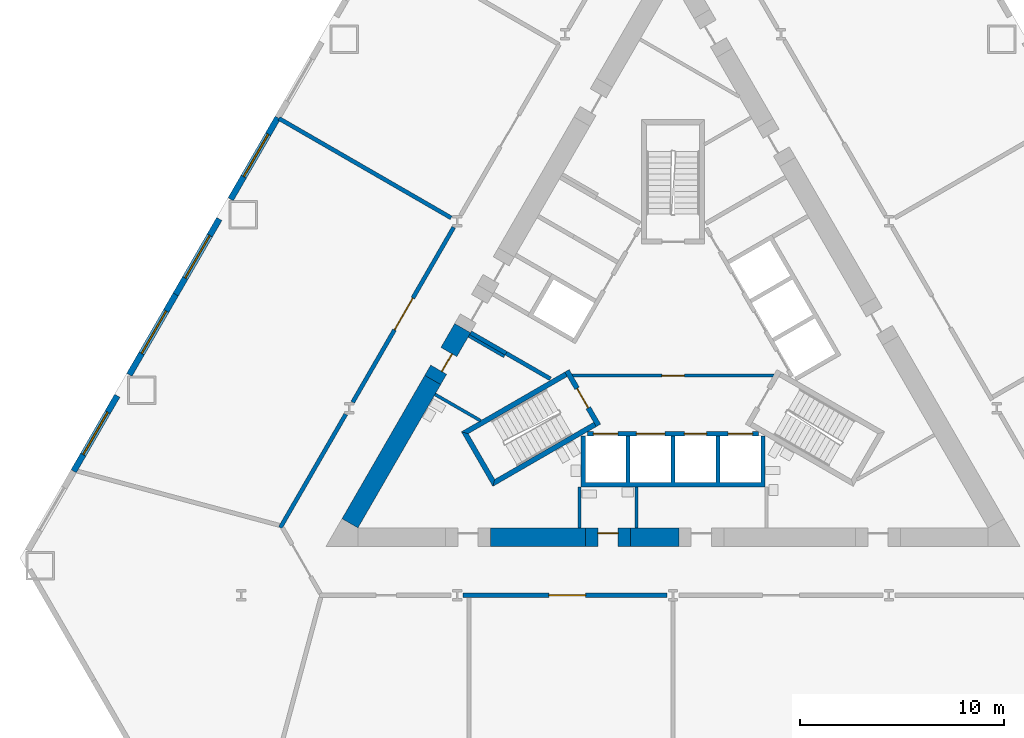
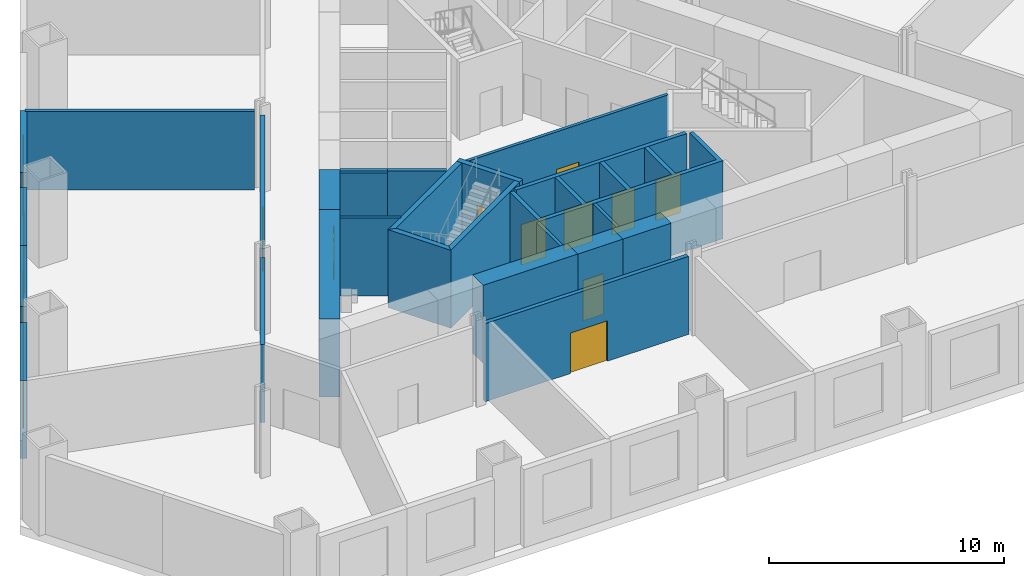
# One storey, part 2 of 8: 26 walls, 10 doors, 4 windows, 14 openings.
"""IFC4 building model written with IfcOpenShell, lengths in metres."""

from ifc_helpers import new_model, si_unit, direction, frame, frame_2d, origin, place, context, subcontext, project, spatial, polyline, rectangle, outline, extrude, material, layer, layer_set, type_object, element, fill, save


model = new_model("IFC4")

# Units and contexts
model_context = context("Model", 3, precision=1e-05, world=origin(), true_north=direction((0.0, 1.0)))
body_context = subcontext(model_context, "Body", "Model", "MODEL_VIEW")
ifc_project = project(units=[si_unit("LENGTHUNIT", "METRE"), si_unit("AREAUNIT", "SQUARE_METRE"), si_unit("VOLUMEUNIT", "CUBIC_METRE"), si_unit("PLANEANGLEUNIT", "RADIAN"), si_unit("MASSUNIT", "GRAM", prefix="KILO")], contexts=[model_context])

# Site, building, storey
site_placement = place(None, origin())
site = spatial("IfcSite", under=ifc_project, at=site_placement, CompositionType="ELEMENT")
building_placement = place(site_placement, origin())
building = spatial("IfcBuilding", under=site, at=building_placement, Name="Cormorant Prow Tower", CompositionType="ELEMENT")
storey_placement = place(building_placement, frame((0.0, 0.0, 21.0)))
storey = spatial("IfcBuildingStorey", under=building, at=storey_placement, Name="L03", CompositionType="ELEMENT", Elevation=21.0)

# Wall, opening, door
ifc_material_1 = material(Name="Gypsum board partition")
ifc_layer_1 = layer(ifc_material_1, 0.14990234375)
ifc_layer_set_1 = layer_set([ifc_layer_1], Name="Gypsum board partition")
wall_type_1 = type_object("IfcWallType", Name="Core partition 150", PredefinedType="PARTITIONING", material=ifc_layer_set_1)
wall_1_placement = place(storey_placement, frame((-4.941162109375, -1.449951171875, 0.0), z_axis=(0.0, 0.0, 1.0), x_axis=(1.0, 0.0, 0.0)))
wall_1 = element("IfcWall", 1, at=wall_1_placement, inside=storey, type_object=wall_type_1, Name="Firefighting lobby partition", PredefinedType="PARTITIONING", context=body_context, shape_type="SweptSolid", body=[
    extrude(rectangle(XDim=9.88232421875, YDim=0.14990234375, at=frame_2d((4.941162109375, 0.0))), origin(), (0.0, 0.0, 1.0), 4.050048828125),
])
opening_1_placement = place(wall_1_placement, frame((4.39111328125, 0.0, 0.0)))
opening_1 = element("IfcOpeningElement", 2, at=opening_1_placement, cuts=wall_1, Name="Opening L03-C11", PredefinedType="OPENING", context=body_context, shape_type="SweptSolid", body=[
    extrude(rectangle(XDim=1.10009765625, YDim=2.10009765625, at=frame_2d((0.550048828125, 1.050048828125))), frame((0.0, 0.0849609375, 0.0), z_axis=(0.0, -1.0, 0.0), x_axis=(1.0, 0.0, 0.0)), (0.0, 0.0, 1.0), 0.169921875),
])
ifc_material_2 = material(Name="Painted steel", Category="steel")
door_type_1 = type_object("IfcDoorType", Name="Firefighting lobby door 1100x2100", OperationType="NOTDEFINED", PredefinedType="DOOR", material=ifc_material_2)
door_1_placement = place(opening_1_placement, origin())
door_1 = element("IfcDoor", 3, at=door_1_placement, inside=storey, type_object=door_type_1, Name="Firefighting lobby door", OperationType="SINGLE_SWING_LEFT", OverallHeight=2.10009765625, OverallWidth=1.10009765625, PredefinedType="DOOR", context=body_context, shape_type="SweptSolid", body=[
    extrude(rectangle(XDim=1.10009765625, YDim=2.10009765625, at=frame_2d((0.550048828125, 1.050048828125))), frame((0.0, 0.02490234375, 0.0), z_axis=(0.0, -1.0, 0.0), x_axis=(1.0, 0.0, 0.0)), (0.0, 0.0, 1.0), 0.050048828125),
])
fill(opening_1, door_1)

# Walls
wall_2_placement = place(storey_placement, frame((-8.268310546875, -0.509033203125, 0.0), z_axis=(0.0, 0.0, 1.0), x_axis=(-0.866035824272, 0.499981950752, 0.0)))
element("IfcWall", 4, at=wall_2_placement, inside=storey, type_object=wall_type_1, Name="Service room partition", PredefinedType="PARTITIONING", context=body_context, shape_type="SweptSolid", body=[
    extrude(rectangle(XDim=2.0087890625, YDim=0.14990234375, at=frame_2d((1.00439453125, 0.0))), origin(), (0.0, 0.0, 1.0), 4.050048828125),
])
wall_3_placement = place(storey_placement, frame((-4.574951171875, -6.906005859375, 0.0), z_axis=(0.0, 0.0, 1.0), x_axis=(0.0, -1.0, 0.0)))
element("IfcWall", 5, at=wall_3_placement, inside=storey, type_object=wall_type_1, Name="Service room partition", PredefinedType="PARTITIONING", context=body_context, shape_type="SweptSolid", body=[
    extrude(rectangle(XDim=2.009033203125, YDim=0.14990234375, at=frame_2d((1.00439453125, 0.0))), origin(), (0.0, 0.0, 1.0), 4.050048828125),
])
wall_4_placement = place(storey_placement, frame((-11.664306640625, -2.373291015625, 0.0), z_axis=(0.0, 0.0, 1.0), x_axis=(0.866075643493, -0.499912972175, 0.0)))
element("IfcWall", 6, at=wall_4_placement, inside=storey, type_object=wall_type_1, Name="Service room partition", PredefinedType="PARTITIONING", context=body_context, shape_type="SweptSolid", body=[
    extrude(rectangle(XDim=2.58837890625, YDim=0.14990234375, at=frame_2d((1.294189453125, 0.0))), origin(), (0.0, 0.0, 1.0), 4.050048828125),
])
wall_5_placement = place(storey_placement, frame((-1.800048828125, -8.9150390625, 0.0), z_axis=(0.0, 0.0, 1.0), x_axis=(0.0, 1.0, 0.0)))
element("IfcWall", 7, at=wall_5_placement, inside=storey, type_object=wall_type_1, Name="Service room partition", PredefinedType="PARTITIONING", context=body_context, shape_type="SweptSolid", body=[
    extrude(rectangle(XDim=2.009033203125, YDim=0.14990234375, at=frame_2d((1.00439453125, 0.0))), origin(), (0.0, 0.0, 1.0), 4.050048828125),
])
ifc_material_3 = material(Name="Concrete 8000 psi", Category="concrete")
ifc_layer_2 = layer(ifc_material_3, 0.89990234375)
ifc_layer_set_2 = layer_set([ifc_layer_2], Name="Concrete 8000 psi")
wall_type_2 = type_object("IfcWallType", Name="Core shear wall 900", PredefinedType="SHEAR", material=ifc_layer_set_2)
wall_6_placement = place(storey_placement, frame((-8.945556640625, -9.364990234375, 0.0), z_axis=(0.0, 0.0, 1.0), x_axis=(1.0, 0.0, 0.0)))
element("IfcWall", 8, at=wall_6_placement, inside=storey, type_object=wall_type_2, Name="Core wall", PredefinedType="SHEAR", context=body_context, shape_type="SweptSolid", body=[
    extrude(rectangle(XDim=4.657958984375, YDim=0.89990234375, at=frame_2d((2.3291015625, 0.0))), origin(), (0.0, 0.0, 1.0), 4.050048828125),
])
wall_7_placement = place(storey_placement, frame((-2.08740234375, -9.364990234375, 0.0), z_axis=(0.0, 0.0, 1.0), x_axis=(1.0, 0.0, 0.0)))
element("IfcWall", 9, at=wall_7_placement, inside=storey, type_object=wall_type_2, Name="Core wall", PredefinedType="SHEAR", context=body_context, shape_type="SweptSolid", body=[
    extrude(rectangle(XDim=2.375, YDim=0.89990234375, at=frame_2d((1.1875, 0.0))), origin(), (0.0, 0.0, 1.0), 4.050048828125),
])
wall_8_placement = place(storey_placement, frame((-11.77587890625, -1.66650390625, 0.0), z_axis=(0.0, 0.0, 1.0), x_axis=(-0.499995201193, -0.866028174359, 0.0)))
element("IfcWall", 10, at=wall_8_placement, inside=storey, type_object=wall_type_2, Name="Core wall", PredefinedType="SHEAR", context=body_context, shape_type="SweptSolid", body=[
    extrude(rectangle(XDim=8.10986328125, YDim=0.89990234375, at=frame_2d((4.054931640625, 0.0))), origin(), (0.0, 0.0, 1.0), 4.050048828125),
])

# Wall, opening, door
wall_9_placement = place(storey_placement, frame((-4.28759765625, -9.364990234375, 0.0), z_axis=(0.0, 0.0, 1.0), x_axis=(1.0, 0.0, 0.0)))
wall_9 = element("IfcWall", 11, at=wall_9_placement, inside=storey, type_object=wall_type_2, Name="Core wall door panel", PredefinedType="SHEAR", context=body_context, shape_type="SweptSolid", body=[
    extrude(rectangle(XDim=2.2001953125, YDim=0.89990234375, at=frame_2d((1.10009765625, 0.0))), origin(), (0.0, 0.0, 1.0), 4.050048828125),
])
opening_2_placement = place(wall_9_placement, frame((0.60009765625, 0.0, 0.0)))
opening_2 = element("IfcOpeningElement", 12, at=opening_2_placement, cuts=wall_9, Name="Opening L03-C15", PredefinedType="OPENING", context=body_context, shape_type="SweptSolid", body=[
    extrude(rectangle(XDim=1.0, YDim=2.10009765625, at=frame_2d((0.5, 1.050048828125))), frame((0.0, 0.4599609375, 0.0), z_axis=(0.0, -1.0, 0.0), x_axis=(1.0, 0.0, 0.0)), (0.0, 0.0, 1.0), 0.919921875),
])
ifc_material_4 = material(Name="Painted steel", Category="steel")
door_type_2 = type_object("IfcDoorType", Name="Service door 1000x2100", OperationType="NOTDEFINED", PredefinedType="DOOR", material=ifc_material_4)
door_2_placement = place(opening_2_placement, origin())
door_2 = element("IfcDoor", 13, at=door_2_placement, inside=storey, type_object=door_type_2, Name="Core door, Accessible WC L03", OperationType="SINGLE_SWING_RIGHT", OverallHeight=2.10009765625, OverallWidth=1.0, PredefinedType="DOOR", context=body_context, shape_type="SweptSolid", body=[
    extrude(rectangle(XDim=1.0, YDim=2.10009765625, at=frame_2d((0.5, 1.050048828125))), frame((0.0, 0.205078125, 0.0), z_axis=(0.0, -1.0, 0.0), x_axis=(1.0, 0.0, 0.0)), (0.0, 0.0, 1.0), 0.050048828125),
])
fill(opening_2, door_2)

wall_10_placement = place(storey_placement, frame((-10.310302734375, 0.8720703125, 0.0), z_axis=(0.0, 0.0, 1.0), x_axis=(-0.499982003349, -0.866035793907, 0.0)))
wall_10 = element("IfcWall", 14, at=wall_10_placement, inside=storey, type_object=wall_type_2, Name="Core wall door panel", PredefinedType="SHEAR", context=body_context, shape_type="SweptSolid", body=[
    extrude(rectangle(XDim=2.93115234375, YDim=0.89990234375, at=frame_2d((1.465576171875, 0.0))), origin(), (0.0, 0.0, 1.0), 4.050048828125),
])
opening_3_placement = place(wall_10_placement, frame((1.35009765625, 0.0, 0.0)))
opening_3 = element("IfcOpeningElement", 15, at=opening_3_placement, cuts=wall_10, Name="Opening L03-C19", PredefinedType="OPENING", context=body_context, shape_type="SweptSolid", body=[
    extrude(rectangle(XDim=1.0, YDim=2.10009765625, at=frame_2d((0.5, 1.050048828125))), frame((0.0, 0.4599609375, 0.0), z_axis=(0.0, -1.0, 0.0), x_axis=(1.0, 0.0, 0.0)), (0.0, 0.0, 1.0), 0.919921875),
])
door_3_placement = place(opening_3_placement, origin())
door_3 = element("IfcDoor", 16, at=door_3_placement, inside=storey, type_object=door_type_2, Name="Core door, Telecom room", OperationType="SINGLE_SWING_LEFT", OverallHeight=2.10009765625, OverallWidth=1.0, PredefinedType="DOOR", context=body_context, shape_type="SweptSolid", body=[
    extrude(rectangle(XDim=1.0, YDim=2.10009765625, at=frame_2d((0.5, 1.050048828125))), frame((0.0, 0.205078125, 0.0), z_axis=(0.0, -1.0, 0.0), x_axis=(1.0, 0.0, 0.0)), (0.0, 0.0, 1.0), 0.050048828125),
])
fill(opening_3, door_3)

ifc_material_5 = material(Name="Gypsum board corridor wall")
ifc_layer_3 = layer(ifc_material_5, 0.199951171875)
ifc_layer_set_3 = layer_set([ifc_layer_3], Name="Gypsum board corridor wall")
wall_type_3 = type_object("IfcWallType", Name="Corridor wall 200", PredefinedType="PARTITIONING", material=ifc_layer_set_3)
wall_11_placement = place(storey_placement, frame((-10.28369140625, -12.215087890625, 0.0), z_axis=(0.0, 0.0, 1.0), x_axis=(1.0, 0.0, 0.0)))
wall_11 = element("IfcWall", 17, at=wall_11_placement, inside=storey, type_object=wall_type_3, Name="Corridor wall", PredefinedType="PARTITIONING", context=body_context, shape_type="SweptSolid", body=[
    extrude(rectangle(XDim=9.98876953125, YDim=0.199951171875, at=frame_2d((4.994384765625, 0.0))), origin(), (0.0, 0.0, 1.0), 4.050048828125),
])
opening_4_placement = place(wall_11_placement, frame((4.195556640625, 0.0, 0.0)))
opening_4 = element("IfcOpeningElement", 18, at=opening_4_placement, cuts=wall_11, Name="Opening L03-F03", PredefinedType="OPENING", context=body_context, shape_type="SweptSolid", body=[
    extrude(rectangle(XDim=1.800048828125, YDim=2.10009765625, at=frame_2d((0.89990234375, 1.050048828125))), frame((0.0, 0.10986328125, 0.0), z_axis=(0.0, -1.0, 0.0), x_axis=(1.0, 0.0, 0.0)), (0.0, 0.0, 1.0), 0.219970703125),
])
ifc_material_6 = material(Name="Timber door leaf", Category="wood")
door_type_3 = type_object("IfcDoorType", Name="Double door 1800x2100", OperationType="DOUBLE_DOOR_SINGLE_SWING", PredefinedType="DOOR", material=ifc_material_6)
door_4_placement = place(opening_4_placement, origin())
door_4 = element("IfcDoor", 19, at=door_4_placement, inside=storey, type_object=door_type_3, Name="Yoga studio door", OperationType="DOUBLE_DOOR_SINGLE_SWING", OverallHeight=2.10009765625, OverallWidth=1.800048828125, PredefinedType="DOOR", context=body_context, shape_type="SweptSolid", body=[
    extrude(rectangle(XDim=1.800048828125, YDim=2.10009765625, at=frame_2d((0.89990234375, 1.050048828125))), frame((0.0, 0.02490234375, 0.0), z_axis=(0.0, -1.0, 0.0), x_axis=(1.0, 0.0, 0.0)), (0.0, 0.0, 1.0), 0.050048828125),
])
fill(opening_4, door_4)

wall_12_placement = place(storey_placement, frame((-15.697509765625, -2.759033203125, 0.0), z_axis=(0.0, 0.0, 1.0), x_axis=(0.500004292778, 0.866022925334, 0.0)))
wall_12 = element("IfcWall", 20, at=wall_12_placement, inside=storey, type_object=wall_type_3, Name="Corridor wall", PredefinedType="PARTITIONING", context=body_context, shape_type="SweptSolid", body=[
    extrude(rectangle(XDim=9.89794921875, YDim=0.199951171875, at=frame_2d((4.948974609375, 0.0))), origin(), (0.0, 0.0, 1.0), 4.050048828125),
])
opening_5_placement = place(wall_12_placement, frame((4.099609375, 0.0, 0.0)))
opening_5 = element("IfcOpeningElement", 21, at=opening_5_placement, cuts=wall_12, Name="Opening L03-F12", PredefinedType="OPENING", context=body_context, shape_type="SweptSolid", body=[
    extrude(rectangle(XDim=1.800048828125, YDim=2.10009765625, at=frame_2d((0.89990234375, 1.050048828125))), frame((0.0, 0.10986328125, 0.0), z_axis=(0.0, -1.0, 0.0), x_axis=(1.0, 0.0, 0.0)), (0.0, 0.0, 1.0), 0.219970703125),
])
door_5_placement = place(opening_5_placement, origin())
door_5 = element("IfcDoor", 22, at=door_5_placement, inside=storey, type_object=door_type_3, Name="Fitness studio door", OperationType="DOUBLE_DOOR_SINGLE_SWING", OverallHeight=2.10009765625, OverallWidth=1.800048828125, PredefinedType="DOOR", context=body_context, shape_type="SweptSolid", body=[
    extrude(rectangle(XDim=1.800048828125, YDim=2.10009765625, at=frame_2d((0.89990234375, 1.050048828125))), frame((0.0, 0.02490234375, 0.0), z_axis=(0.0, -1.0, 0.0), x_axis=(1.0, 0.0, 0.0)), (0.0, 0.0, 1.0), 0.050048828125),
])
fill(opening_5, door_5)

# Walls
wall_13_placement = place(storey_placement, frame((-19.243896484375, -8.901611328125, 0.0), z_axis=(0.0, 0.0, 1.0), x_axis=(0.499988314375, 0.866032150378, 0.0)))
element("IfcWall", 23, at=wall_13_placement, inside=storey, type_object=wall_type_3, Name="Corridor wall", PredefinedType="PARTITIONING", context=body_context, shape_type="SweptSolid", body=[
    extrude(rectangle(XDim=6.412353515625, YDim=0.199951171875, at=frame_2d((3.2060546875, 0.0))), origin(), (0.0, 0.0, 1.0), 4.050048828125),
])
ifc_material_7 = material(Name="Gypsum board demising wall")
ifc_layer_4 = layer(ifc_material_7, 0.199951171875)
ifc_layer_set_4 = layer_set([ifc_layer_4], Name="Gypsum board demising wall")
wall_type_4 = type_object("IfcWallType", Name="Demising wall 200", PredefinedType="PARTITIONING", material=ifc_layer_set_4)
wall_14_placement = place(storey_placement, frame((-19.3095703125, 11.148193359375, 0.0), z_axis=(0.0, 0.0, 1.0), x_axis=(0.866029077831, -0.499993636311, 0.0)))
element("IfcWall", 24, at=wall_14_placement, inside=storey, type_object=wall_type_4, Name="Demising wall", PredefinedType="PARTITIONING", context=body_context, shape_type="SweptSolid", body=[
    extrude(rectangle(XDim=9.741455078125, YDim=0.199951171875, at=frame_2d((4.87060546875, 0.0))), origin(), (0.0, 0.0, 1.0), 4.050048828125),
])

# Wall, openings, doors
ifc_material_8 = material(Name="Concrete 5000 psi", Category="concrete")
ifc_layer_5 = layer(ifc_material_8, 0.199951171875)
ifc_layer_set_5 = layer_set([ifc_layer_5], Name="Concrete 5000 psi")
wall_type_5 = type_object("IfcWallType", Name="Lift lobby wall 200", PredefinedType="SOLIDWALL", material=ifc_layer_set_5)
wall_15_placement = place(storey_placement, frame((-4.1865234375, -4.300048828125, 0.0), z_axis=(0.0, 0.0, 1.0), x_axis=(1.0, 0.0, 0.0)))
wall_15 = element("IfcWall", 25, at=wall_15_placement, inside=storey, type_object=wall_type_5, Name="Lift lobby wall, S block", PredefinedType="SOLIDWALL", context=body_context, shape_type="SweptSolid", body=[
    extrude(rectangle(XDim=8.373046875, YDim=0.199951171875, at=frame_2d((4.1865234375, 0.0))), origin(), (0.0, 0.0, 1.0), 4.050048828125),
])
opening_6_placement = place(wall_15_placement, frame((0.28662109375, 0.0, 0.0)))
opening_6 = element("IfcOpeningElement", 26, at=opening_6_placement, cuts=wall_15, Name="Opening L03-C01", PredefinedType="OPENING", context=body_context, shape_type="SweptSolid", body=[
    extrude(rectangle(XDim=1.199951171875, YDim=2.10009765625, at=frame_2d((0.60009765625, 1.050048828125))), frame((0.0, 0.10986328125, 0.0), z_axis=(0.0, -1.0, 0.0), x_axis=(1.0, 0.0, 0.0)), (0.0, 0.0, 1.0), 0.219970703125),
])
opening_7_placement = place(wall_15_placement, frame((2.38671875, 0.0, 0.0)))
opening_7 = element("IfcOpeningElement", 27, at=opening_7_placement, cuts=wall_15, Name="Opening L03-C02", PredefinedType="OPENING", context=body_context, shape_type="SweptSolid", body=[
    extrude(rectangle(XDim=1.39990234375, YDim=2.10009765625, at=frame_2d((0.699951171875, 1.050048828125))), frame((0.0, 0.10986328125, 0.0), z_axis=(0.0, -1.0, 0.0), x_axis=(1.0, 0.0, 0.0)), (0.0, 0.0, 1.0), 0.219970703125),
])
opening_8_placement = place(wall_15_placement, frame((4.736572265625, 0.0, 0.0)))
opening_8 = element("IfcOpeningElement", 28, at=opening_8_placement, cuts=wall_15, Name="Opening L03-C03", PredefinedType="OPENING", context=body_context, shape_type="SweptSolid", body=[
    extrude(rectangle(XDim=1.10009765625, YDim=2.10009765625, at=frame_2d((0.550048828125, 1.050048828125))), frame((0.0, 0.10986328125, 0.0), z_axis=(0.0, -1.0, 0.0), x_axis=(1.0, 0.0, 0.0)), (0.0, 0.0, 1.0), 0.219970703125),
])
opening_9_placement = place(wall_15_placement, frame((6.88671875, 0.0, 0.0)))
opening_9 = element("IfcOpeningElement", 29, at=opening_9_placement, cuts=wall_15, Name="Opening L03-C04", PredefinedType="OPENING", context=body_context, shape_type="SweptSolid", body=[
    extrude(rectangle(XDim=1.199951171875, YDim=2.10009765625, at=frame_2d((0.60009765625, 1.050048828125))), frame((0.0, 0.10986328125, 0.0), z_axis=(0.0, -1.0, 0.0), x_axis=(1.0, 0.0, 0.0)), (0.0, 0.0, 1.0), 0.219970703125),
])
ifc_material_9 = material(Name="Painted steel", Category="steel")
door_type_4 = type_object("IfcDoorType", Name="Firefighting lift landing door 1200x2100", OperationType="SLIDING_TO_LEFT", PredefinedType="DOOR", material=ifc_material_9)
door_6_placement = place(opening_6_placement, origin())
door_6 = element("IfcDoor", 30, at=door_6_placement, inside=storey, type_object=door_type_4, Name="Landing door FL1", OperationType="SLIDING_TO_LEFT", OverallHeight=2.10009765625, OverallWidth=1.199951171875, PredefinedType="DOOR", context=body_context, shape_type="SweptSolid", body=[
    extrude(rectangle(XDim=1.199951171875, YDim=2.10009765625, at=frame_2d((0.60009765625, 1.050048828125))), frame((0.0, 0.02490234375, 0.0), z_axis=(0.0, -1.0, 0.0), x_axis=(1.0, 0.0, 0.0)), (0.0, 0.0, 1.0), 0.050048828125),
])
fill(opening_6, door_6)
door_7_placement = place(opening_9_placement, origin())
door_7 = element("IfcDoor", 31, at=door_7_placement, inside=storey, type_object=door_type_4, Name="Landing door FL2", OperationType="SLIDING_TO_LEFT", OverallHeight=2.10009765625, OverallWidth=1.199951171875, PredefinedType="DOOR", context=body_context, shape_type="SweptSolid", body=[
    extrude(rectangle(XDim=1.199951171875, YDim=2.10009765625, at=frame_2d((0.60009765625, 1.050048828125))), frame((0.0, 0.02490234375, 0.0), z_axis=(0.0, -1.0, 0.0), x_axis=(1.0, 0.0, 0.0)), (0.0, 0.0, 1.0), 0.050048828125),
])
fill(opening_9, door_7)
ifc_material_10 = material(Name="Painted steel", Category="steel")
door_type_5 = type_object("IfcDoorType", Name="Lift landing door 1100x2100", OperationType="SLIDING_TO_LEFT", PredefinedType="DOOR", material=ifc_material_10)
door_8_placement = place(opening_8_placement, origin())
door_8 = element("IfcDoor", 32, at=door_8_placement, inside=storey, type_object=door_type_5, Name="Landing door LR1", OperationType="SLIDING_TO_LEFT", OverallHeight=2.10009765625, OverallWidth=1.10009765625, PredefinedType="DOOR", context=body_context, shape_type="SweptSolid", body=[
    extrude(rectangle(XDim=1.10009765625, YDim=2.10009765625, at=frame_2d((0.550048828125, 1.050048828125))), frame((0.0, 0.02490234375, 0.0), z_axis=(0.0, -1.0, 0.0), x_axis=(1.0, 0.0, 0.0)), (0.0, 0.0, 1.0), 0.050048828125),
])
fill(opening_8, door_8)
ifc_material_11 = material(Name="Painted steel", Category="steel")
door_type_6 = type_object("IfcDoorType", Name="Service lift landing door 1400x2100", OperationType="SLIDING_TO_LEFT", PredefinedType="DOOR", material=ifc_material_11)
door_9_placement = place(opening_7_placement, origin())
door_9 = element("IfcDoor", 33, at=door_9_placement, inside=storey, type_object=door_type_6, Name="Landing door SL1", OperationType="SLIDING_TO_LEFT", OverallHeight=2.10009765625, OverallWidth=1.39990234375, PredefinedType="DOOR", context=body_context, shape_type="SweptSolid", body=[
    extrude(rectangle(XDim=1.39990234375, YDim=2.10009765625, at=frame_2d((0.699951171875, 1.050048828125))), frame((0.0, 0.02490234375, 0.0), z_axis=(0.0, -1.0, 0.0), x_axis=(1.0, 0.0, 0.0)), (0.0, 0.0, 1.0), 0.050048828125),
])
fill(opening_7, door_9)

# Walls
ifc_material_12 = material(Name="Concrete 8000 psi", Category="concrete")
ifc_layer_6 = layer(ifc_material_12, 0.199951171875)
ifc_layer_set_6 = layer_set([ifc_layer_6], Name="Concrete 8000 psi")
wall_type_6 = type_object("IfcWallType", Name="Lift shaft wall 200", PredefinedType="SHEAR", material=ifc_layer_set_6)
wall_16_placement = place(storey_placement, origin())
element("IfcWall", 34, at=wall_16_placement, inside=storey, type_object=wall_type_6, Name="Lift shaft walls, S block", PredefinedType="SHEAR", context=body_context, shape_type="SweptSolid", body=[
    extrude(outline(polyline([(4.5, -4.39990234375), (4.5, -6.906005859375), (-4.5, -6.906005859375), (-4.5, -4.39990234375), (-4.300048828125, -4.39990234375), (-4.300048828125, -6.699951171875), (-2.300048828125, -6.699951171875), (-2.300048828125, -4.39990234375), (-2.10009765625, -4.39990234375), (-2.10009765625, -6.699951171875), (-0.10009765625, -6.699951171875), (-0.10009765625, -4.39990234375), (0.10009765625, -4.39990234375), (0.10009765625, -6.699951171875), (2.10009765625, -6.699951171875), (2.10009765625, -4.39990234375), (2.300048828125, -4.39990234375), (2.300048828125, -6.699951171875), (4.300048828125, -6.699951171875), (4.300048828125, -4.39990234375), (4.5, -4.39990234375)])), origin(), (0.0, 0.0, 1.0), 4.050048828125),
])
wall_17_placement = place(storey_placement, origin())
element("IfcWall", 35, at=wall_17_placement, inside=storey, type_object=wall_type_6, Name="Lift shaft walls, WNW block", PredefinedType="SHEAR", context=body_context, shape_type="SweptSolid", body=[
    extrude(outline(polyline([(-6.060546875, -1.697021484375), (-8.230712890625, -0.444091796875), (-8.130859375, -0.27099609375), (-5.96044921875, -1.52392578125), (-6.060546875, -1.697021484375)])), origin(), (0.0, 0.0, 1.0), 4.050048828125),
])
wall_18_placement = place(storey_placement, frame((-8.180908203125, -0.357421875, 0.0), z_axis=(0.0, 0.0, 1.0), x_axis=(-0.866035824272, 0.499981950752, 0.0)))
element("IfcWall", 36, at=wall_18_placement, inside=storey, type_object=wall_type_6, Name="Lobby passage wall", PredefinedType="SHEAR", context=body_context, shape_type="SweptSolid", body=[
    extrude(rectangle(XDim=2.0087890625, YDim=0.199951171875, at=frame_2d((1.00439453125, 0.0))), origin(), (0.0, 0.0, 1.0), 4.050048828125),
])
ifc_material_13 = material(Name="Concrete 8000 psi", Category="concrete")
ifc_layer_7 = layer(ifc_material_13, 0.25)
ifc_layer_set_7 = layer_set([ifc_layer_7], Name="Concrete 8000 psi")
wall_type_7 = type_object("IfcWallType", Name="Stair wall 250", PredefinedType="SHEAR", material=ifc_layer_set_7)
wall_19_placement = place(storey_placement, origin())
element("IfcWall", 37, at=wall_19_placement, inside=storey, type_object=wall_type_7, Name="Stair ST1 enclosure wall (flank)", PredefinedType="SHEAR", context=body_context, shape_type="SweptSolid", body=[
    extrude(outline(polyline([(-5.30712890625, -1.28125), (-10.37353515625, -4.206298828125), (-10.031982421875, -4.2978515625), (-5.18212890625, -1.497802734375), (-5.30712890625, -1.28125)])), origin(), (0.0, 0.0, 1.0), 4.050048828125),
])
wall_20_placement = place(storey_placement, origin())
element("IfcWall", 38, at=wall_20_placement, inside=storey, type_object=wall_type_7, Name="Stair ST1 enclosure wall (end)", PredefinedType="SHEAR", context=body_context, shape_type="SweptSolid", body=[
    extrude(outline(polyline([(-10.37353515625, -4.206298828125), (-8.82958984375, -6.880615234375), (-8.738037109375, -6.5390625), (-10.031982421875, -4.2978515625), (-10.37353515625, -4.206298828125)])), origin(), (0.0, 0.0, 1.0), 4.050048828125),
])
wall_21_placement = place(storey_placement, origin())
element("IfcWall", 39, at=wall_21_placement, inside=storey, type_object=wall_type_7, Name="Stair ST1 enclosure wall (flank)", PredefinedType="SHEAR", context=body_context, shape_type="SweptSolid", body=[
    extrude(outline(polyline([(-8.738037109375, -6.5390625), (-8.82958984375, -6.880615234375), (-3.76318359375, -3.95556640625), (-3.88818359375, -3.739013671875), (-8.738037109375, -6.5390625)])), origin(), (0.0, 0.0, 1.0), 4.050048828125),
])

# Wall, opening, door
wall_22_placement = place(storey_placement, frame((-5.198974609375, -1.21875, 0.0), z_axis=(0.0, 0.0, 1.0), x_axis=(0.499982516597, -0.866035497597, 0.0)))
wall_22 = element("IfcWall", 40, at=wall_22_placement, inside=storey, type_object=wall_type_7, Name="Stair ST1 door wall", PredefinedType="SHEAR", context=body_context, shape_type="SweptSolid", body=[
    extrude(rectangle(XDim=3.087890625, YDim=0.25, at=frame_2d((1.5439453125, 0.0))), origin(), (0.0, 0.0, 1.0), 4.050048828125),
])
opening_10_placement = place(wall_22_placement, frame((0.993896484375, 0.0, 0.0)))
opening_10 = element("IfcOpeningElement", 41, at=opening_10_placement, cuts=wall_22, Name="Opening L03-C12", PredefinedType="OPENING", context=body_context, shape_type="SweptSolid", body=[
    extrude(rectangle(XDim=1.10009765625, YDim=2.10009765625, at=frame_2d((0.550048828125, 1.050048828125))), frame((0.0, 0.135009765625, 0.0), z_axis=(0.0, -1.0, 0.0), x_axis=(1.0, 0.0, 0.0)), (0.0, 0.0, 1.0), 0.27001953125),
])
ifc_material_14 = material(Name="Painted steel", Category="steel")
door_type_7 = type_object("IfcDoorType", Name="Stair door 1100x2100", OperationType="NOTDEFINED", PredefinedType="DOOR", material=ifc_material_14)
door_10_placement = place(opening_10_placement, origin())
door_10 = element("IfcDoor", 42, at=door_10_placement, inside=storey, type_object=door_type_7, Name="Stair ST1 door", OperationType="SINGLE_SWING_LEFT", OverallHeight=2.10009765625, OverallWidth=1.10009765625, PredefinedType="DOOR", context=body_context, shape_type="SweptSolid", body=[
    extrude(rectangle(XDim=1.10009765625, YDim=2.10009765625, at=frame_2d((0.550048828125, 1.050048828125))), frame((0.0, 0.02490234375, 0.0), z_axis=(0.0, -1.0, 0.0), x_axis=(1.0, 0.0, 0.0)), (0.0, 0.0, 1.0), 0.050048828125),
])
fill(opening_10, door_10)

# Wall, opening, window
ifc_material_15 = material(Name="Terracotta", Category="masonry")
ifc_layer_8 = layer(ifc_material_15, 0.300048828125)
ifc_layer_set_8 = layer_set([ifc_layer_8], Name="Terracotta")
wall_type_8 = type_object("IfcWallType", Name="Terracotta podium cladding wall 300", PredefinedType="SOLIDWALL", material=ifc_layer_set_8)
wall_23_placement = place(storey_placement, frame((-19.3701171875, 11.183349609375, 0.0), z_axis=(0.0, 0.0, 1.0), x_axis=(-0.499982117899, -0.866035727774, 0.0)))
wall_23 = element("IfcWall", 43, at=wall_23_placement, inside=storey, type_object=wall_type_8, Name="Terracotta podium wall WNW05", PredefinedType="SOLIDWALL", context=body_context, shape_type="SweptSolid", body=[
    extrude(rectangle(XDim=4.612060546875, YDim=0.300048828125, at=frame_2d((2.30615234375, 0.0))), origin(), (0.0, 0.0, 1.0), 4.050048828125),
])
opening_11_placement = place(wall_23_placement, frame((0.93505859375, 0.0, 0.89990234375)))
opening_11 = element("IfcOpeningElement", 44, at=opening_11_placement, cuts=wall_23, Name="Opening WN22", PredefinedType="OPENING", context=body_context, shape_type="SweptSolid", body=[
    extrude(rectangle(XDim=2.39990234375, YDim=2.550048828125, at=frame_2d((1.199951171875, 1.27490234375))), frame((0.0, 0.159912109375, 0.0), z_axis=(0.0, -1.0, 0.0), x_axis=(1.0, 0.0, 0.0)), (0.0, 0.0, 1.0), 0.320068359375),
])
ifc_material_16 = material(Name="Aluminium 6063-T6", Category="aluminium")
window_type = type_object("IfcWindowType", Name="Podium window 2400x2550", PartitioningType="SINGLE_PANEL", PredefinedType="WINDOW", material=ifc_material_16)
window_1_placement = place(opening_11_placement, origin())
window_1 = element("IfcWindow", 45, at=window_1_placement, inside=storey, type_object=window_type, Name="Podium window WNW05", OverallHeight=2.550048828125, OverallWidth=2.39990234375, PartitioningType="SINGLE_PANEL", PredefinedType="WINDOW", context=body_context, shape_type="SweptSolid", body=[
    extrude(rectangle(XDim=2.39990234375, YDim=2.550048828125, at=frame_2d((1.199951171875, 1.27490234375))), frame((0.0, 0.030029296875, 0.0), z_axis=(0.0, -1.0, 0.0), x_axis=(1.0, 0.0, 0.0)), (0.0, 0.0, 1.0), 0.06005859375),
])
fill(opening_11, window_1)

wall_24_placement = place(storey_placement, frame((-22.235107421875, 6.220947265625, 0.0), z_axis=(0.0, 0.0, 1.0), x_axis=(-0.500019418418, -0.866014192265, 0.0)))
wall_24 = element("IfcWall", 46, at=wall_24_placement, inside=storey, type_object=wall_type_8, Name="Terracotta podium wall WNW06", PredefinedType="SOLIDWALL", context=body_context, shape_type="SweptSolid", body=[
    extrude(rectangle(XDim=4.269775390625, YDim=0.300048828125, at=frame_2d((2.134765625, 0.0))), origin(), (0.0, 0.0, 1.0), 4.050048828125),
])
opening_12_placement = place(wall_24_placement, frame((0.93505859375, 0.0, 0.89990234375)))
opening_12 = element("IfcOpeningElement", 47, at=opening_12_placement, cuts=wall_24, Name="Opening WN22", PredefinedType="OPENING", context=body_context, shape_type="SweptSolid", body=[
    extrude(rectangle(XDim=2.39990234375, YDim=2.550048828125, at=frame_2d((1.199951171875, 1.27490234375))), frame((0.0, 0.159912109375, 0.0), z_axis=(0.0, -1.0, 0.0), x_axis=(1.0, 0.0, 0.0)), (0.0, 0.0, 1.0), 0.320068359375),
])
window_2_placement = place(opening_12_placement, origin())
window_2 = element("IfcWindow", 48, at=window_2_placement, inside=storey, type_object=window_type, Name="Podium window WNW06", OverallHeight=2.550048828125, OverallWidth=2.39990234375, PartitioningType="SINGLE_PANEL", PredefinedType="WINDOW", context=body_context, shape_type="SweptSolid", body=[
    extrude(rectangle(XDim=2.39990234375, YDim=2.550048828125, at=frame_2d((1.199951171875, 1.27490234375))), frame((0.0, 0.030029296875, 0.0), z_axis=(0.0, -1.0, 0.0), x_axis=(1.0, 0.0, 0.0)), (0.0, 0.0, 1.0), 0.06005859375),
])
fill(opening_12, window_2)

wall_25_placement = place(storey_placement, frame((-24.3701171875, 2.523193359375, 0.0), z_axis=(0.0, 0.0, 1.0), x_axis=(-0.499964285679, -0.866046022475, 0.0)))
wall_25 = element("IfcWall", 49, at=wall_25_placement, inside=storey, type_object=wall_type_8, Name="Terracotta podium wall WNW07", PredefinedType="SOLIDWALL", context=body_context, shape_type="SweptSolid", body=[
    extrude(rectangle(XDim=4.544189453125, YDim=0.300048828125, at=frame_2d((2.27197265625, 0.0))), origin(), (0.0, 0.0, 1.0), 4.050048828125),
])
opening_13_placement = place(wall_25_placement, frame((0.93505859375, 0.0, 0.89990234375)))
opening_13 = element("IfcOpeningElement", 50, at=opening_13_placement, cuts=wall_25, Name="Opening WN22", PredefinedType="OPENING", context=body_context, shape_type="SweptSolid", body=[
    extrude(rectangle(XDim=2.39990234375, YDim=2.550048828125, at=frame_2d((1.199951171875, 1.27490234375))), frame((0.0, 0.159912109375, 0.0), z_axis=(0.0, -1.0, 0.0), x_axis=(1.0, 0.0, 0.0)), (0.0, 0.0, 1.0), 0.320068359375),
])
window_3_placement = place(opening_13_placement, origin())
window_3 = element("IfcWindow", 51, at=window_3_placement, inside=storey, type_object=window_type, Name="Podium window WNW07", OverallHeight=2.550048828125, OverallWidth=2.39990234375, PartitioningType="SINGLE_PANEL", PredefinedType="WINDOW", context=body_context, shape_type="SweptSolid", body=[
    extrude(rectangle(XDim=2.39990234375, YDim=2.550048828125, at=frame_2d((1.199951171875, 1.27490234375))), frame((0.0, 0.030029296875, 0.0), z_axis=(0.0, -1.0, 0.0), x_axis=(1.0, 0.0, 0.0)), (0.0, 0.0, 1.0), 0.06005859375),
])
fill(opening_13, window_3)

wall_26_placement = place(storey_placement, frame((-27.235107421875, -2.439208984375, 0.0), z_axis=(0.0, 0.0, 1.0), x_axis=(-0.499994660107, -0.866028486751, 0.0)))
wall_26 = element("IfcWall", 52, at=wall_26_placement, inside=storey, type_object=wall_type_8, Name="Terracotta podium wall WNW08", PredefinedType="SOLIDWALL", context=body_context, shape_type="SweptSolid", body=[
    extrude(rectangle(XDim=4.27001953125, YDim=0.300048828125, at=frame_2d((2.135009765625, 0.0))), origin(), (0.0, 0.0, 1.0), 4.050048828125),
])
opening_14_placement = place(wall_26_placement, frame((0.93505859375, 0.0, 0.89990234375)))
opening_14 = element("IfcOpeningElement", 53, at=opening_14_placement, cuts=wall_26, Name="Opening WN22", PredefinedType="OPENING", context=body_context, shape_type="SweptSolid", body=[
    extrude(rectangle(XDim=2.39990234375, YDim=2.550048828125, at=frame_2d((1.199951171875, 1.27490234375))), frame((0.0, 0.159912109375, 0.0), z_axis=(0.0, -1.0, 0.0), x_axis=(1.0, 0.0, 0.0)), (0.0, 0.0, 1.0), 0.320068359375),
])
window_4_placement = place(opening_14_placement, origin())
window_4 = element("IfcWindow", 54, at=window_4_placement, inside=storey, type_object=window_type, Name="Podium window WNW08", OverallHeight=2.550048828125, OverallWidth=2.39990234375, PartitioningType="SINGLE_PANEL", PredefinedType="WINDOW", context=body_context, shape_type="SweptSolid", body=[
    extrude(rectangle(XDim=2.39990234375, YDim=2.550048828125, at=frame_2d((1.199951171875, 1.27490234375))), frame((0.0, 0.030029296875, 0.0), z_axis=(0.0, -1.0, 0.0), x_axis=(1.0, 0.0, 0.0)), (0.0, 0.0, 1.0), 0.06005859375),
])
fill(opening_14, window_4)

save(model, "model.ifc")
